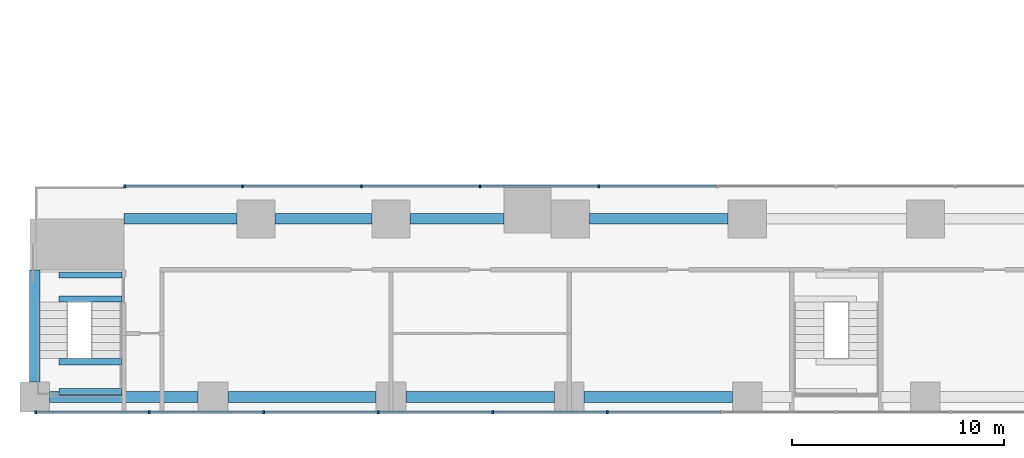
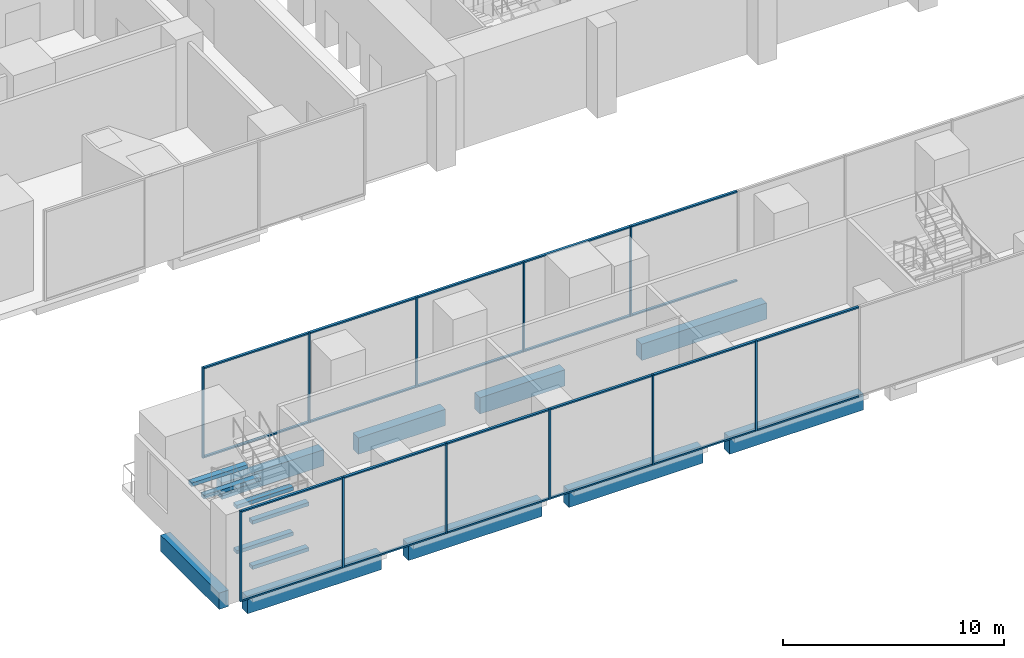
# One storey, part 2 of 24: 33 members, 15 beams, 2 elements without a shape of their own.
"""IFC4 building model written with IfcOpenShell, lengths in metres."""

from ifc_helpers import new_model, si_unit, direction, frame, origin, origin_2d, place, context, subcontext, project, spatial, rectangle, extrude, material, layer, layer_set, material_profile, profile_set, type_object, element, aggregate, save


model = new_model("IFC4")

# Units and contexts
model_context = context("Model", 3, precision=1e-05, world=origin(), true_north=direction((0.0, 1.0)))
body_context = subcontext(model_context, "Body", "Model", "MODEL_VIEW")
ifc_project = project(units=[si_unit("LENGTHUNIT", "METRE"), si_unit("AREAUNIT", "SQUARE_METRE"), si_unit("VOLUMEUNIT", "CUBIC_METRE"), si_unit("PLANEANGLEUNIT", "RADIAN"), si_unit("MASSUNIT", "GRAM", prefix="KILO")], contexts=[model_context])

# Site, building, storey
site_placement = place(None, origin())
site = spatial("IfcSite", under=ifc_project, at=site_placement, CompositionType="ELEMENT")
building_placement = place(site_placement, origin())
building = spatial("IfcBuilding", under=site, at=building_placement, Name="Marenta Gate Hotel Tower", CompositionType="ELEMENT")
storey_placement = place(building_placement, frame((0.0, 0.0, 8.0)))
storey = spatial("IfcBuildingStorey", under=building, at=storey_placement, Name="L01", CompositionType="ELEMENT", Elevation=8.0)

# Curtain wall, members
ifc_material_1 = material(Name="Tinted insulated glass in bronze anodised frame", Category="glass")
ifc_layer = layer(ifc_material_1, 0.1298828125)
ifc_layer_set = layer_set([ifc_layer], Name="Tinted insulated glass in bronze anodised frame")
curtain_wall_type = type_object("IfcCurtainWallType", Name="Podium shopfront glazing CW5", PredefinedType="NOTDEFINED", material=ifc_layer_set)
curtain_wall_1_placement = place(storey_placement, origin())
curtain_wall_1 = element("IfcCurtainWall", 1, at=curtain_wall_1_placement, inside=storey, type_object=curtain_wall_type, Name="CW5 run SB-S000", PredefinedType="NOTDEFINED")
ifc_material_2 = material(Name="Bronze anodised aluminium", Category="aluminium")
ifc_material_profile_1 = material_profile(ifc_material_2, rectangle(XDim=0.1298828125, YDim=0.080078125, at=origin_2d()), Name="Mullion CW5 80x130 bronze anodised aluminium")
ifc_profile_set_1 = profile_set([ifc_material_profile_1], Name="Bronze anodised aluminium")
member_type_1 = type_object("IfcMemberType", Name="Mullion CW5 80x130 bronze anodised aluminium", PredefinedType="MULLION", material=ifc_profile_set_1)
member_1_placement = place(storey_placement, frame((-37.760009765625, -25.9189453125, 0.0), z_axis=(0.0, 0.0, 1.0), x_axis=(0.0, 1.0, 0.0)))
member_1 = element("IfcMember", 2, at=member_1_placement, type_object=member_type_1, Name="CW5 mullion 1", PredefinedType="MULLION", context=body_context, shape_type="SweptSolid", body=[
    extrude(rectangle(XDim=0.1298828125, YDim=0.080078125, at=origin_2d()), origin(), (0.0, 0.0, 1.0), 5.0),
])
member_2_placement = place(storey_placement, frame((-32.39990234375, -25.9189453125, 0.0), z_axis=(0.0, 0.0, 1.0), x_axis=(0.0, 1.0, 0.0)))
member_2 = element("IfcMember", 3, at=member_2_placement, type_object=member_type_1, Name="CW5 mullion 2", PredefinedType="MULLION", context=body_context, shape_type="SweptSolid", body=[
    extrude(rectangle(XDim=0.1298828125, YDim=0.080078125, at=origin_2d()), origin(), (0.0, 0.0, 1.0), 5.0),
])
member_3_placement = place(storey_placement, frame((-27.0, -25.9189453125, 0.0), z_axis=(0.0, 0.0, 1.0), x_axis=(0.0, 1.0, 0.0)))
member_3 = element("IfcMember", 4, at=member_3_placement, type_object=member_type_1, Name="CW5 mullion 3", PredefinedType="MULLION", context=body_context, shape_type="SweptSolid", body=[
    extrude(rectangle(XDim=0.1298828125, YDim=0.080078125, at=origin_2d()), origin(), (0.0, 0.0, 1.0), 5.0),
])
member_4_placement = place(storey_placement, frame((-21.60009765625, -25.9189453125, 0.0), z_axis=(0.0, 0.0, 1.0), x_axis=(0.0, 1.0, 0.0)))
member_4 = element("IfcMember", 5, at=member_4_placement, type_object=member_type_1, Name="CW5 mullion 4", PredefinedType="MULLION", context=body_context, shape_type="SweptSolid", body=[
    extrude(rectangle(XDim=0.1298828125, YDim=0.080078125, at=origin_2d()), origin(), (0.0, 0.0, 1.0), 5.0),
])
member_5_placement = place(storey_placement, frame((-16.199951171875, -25.9189453125, 0.0), z_axis=(0.0, 0.0, 1.0), x_axis=(0.0, 1.0, 0.0)))
member_5 = element("IfcMember", 6, at=member_5_placement, type_object=member_type_1, Name="CW5 mullion 5", PredefinedType="MULLION", context=body_context, shape_type="SweptSolid", body=[
    extrude(rectangle(XDim=0.1298828125, YDim=0.080078125, at=origin_2d()), origin(), (0.0, 0.0, 1.0), 5.0),
])
member_6_placement = place(storey_placement, frame((-10.800048828125, -25.9189453125, 0.0), z_axis=(0.0, 0.0, 1.0), x_axis=(0.0, 1.0, 0.0)))
member_6 = element("IfcMember", 7, at=member_6_placement, type_object=member_type_1, Name="CW5 mullion 6", PredefinedType="MULLION", context=body_context, shape_type="SweptSolid", body=[
    extrude(rectangle(XDim=0.1298828125, YDim=0.080078125, at=origin_2d()), origin(), (0.0, 0.0, 1.0), 5.0),
])

curtain_wall_2_placement = place(storey_placement, origin())
curtain_wall_2 = element("IfcCurtainWall", 8, at=curtain_wall_2_placement, inside=storey, type_object=curtain_wall_type, Name="CW5 run SB-N000", PredefinedType="NOTDEFINED")
member_7_placement = place(storey_placement, frame((-11.199951171875, -15.255859375, 0.0), z_axis=(0.0, 0.0, 1.0), x_axis=(0.0, -1.0, 0.0)))
member_7 = element("IfcMember", 9, at=member_7_placement, type_object=member_type_1, Name="CW5 mullion 9", PredefinedType="MULLION", context=body_context, shape_type="SweptSolid", body=[
    extrude(rectangle(XDim=0.1298828125, YDim=0.080078125, at=origin_2d()), origin(), (0.0, 0.0, 1.0), 5.0),
])
member_8_placement = place(storey_placement, frame((-16.800048828125, -15.255859375, 0.0), z_axis=(0.0, 0.0, 1.0), x_axis=(0.0, -1.0, 0.0)))
member_8 = element("IfcMember", 10, at=member_8_placement, type_object=member_type_1, Name="CW5 mullion 10", PredefinedType="MULLION", context=body_context, shape_type="SweptSolid", body=[
    extrude(rectangle(XDim=0.1298828125, YDim=0.080078125, at=origin_2d()), origin(), (0.0, 0.0, 1.0), 5.0),
])
member_9_placement = place(storey_placement, frame((-22.39990234375, -15.255859375, 0.0), z_axis=(0.0, 0.0, 1.0), x_axis=(0.0, -1.0, 0.0)))
member_9 = element("IfcMember", 11, at=member_9_placement, type_object=member_type_1, Name="CW5 mullion 11", PredefinedType="MULLION", context=body_context, shape_type="SweptSolid", body=[
    extrude(rectangle(XDim=0.1298828125, YDim=0.080078125, at=origin_2d()), origin(), (0.0, 0.0, 1.0), 5.0),
])
member_10_placement = place(storey_placement, frame((-28.0, -15.255859375, 0.0), z_axis=(0.0, 0.0, 1.0), x_axis=(0.0, -1.0, 0.0)))
member_10 = element("IfcMember", 12, at=member_10_placement, type_object=member_type_1, Name="CW5 mullion 12", PredefinedType="MULLION", context=body_context, shape_type="SweptSolid", body=[
    extrude(rectangle(XDim=0.1298828125, YDim=0.080078125, at=origin_2d()), origin(), (0.0, 0.0, 1.0), 5.0),
])
member_11_placement = place(storey_placement, frame((-33.56005859375, -15.255859375, 0.0), z_axis=(0.0, 0.0, 1.0), x_axis=(0.0, -1.0, 0.0)))
member_11 = element("IfcMember", 13, at=member_11_placement, type_object=member_type_1, Name="CW5 mullion 13", PredefinedType="MULLION", context=body_context, shape_type="SweptSolid", body=[
    extrude(rectangle(XDim=0.1298828125, YDim=0.080078125, at=origin_2d()), origin(), (0.0, 0.0, 1.0), 5.0),
])

# Beams
ifc_material_3 = material(Name="Concrete C60", Category="concrete")
ifc_material_profile_2 = material_profile(ifc_material_3, rectangle(XDim=0.5, YDim=0.89990234375, at=origin_2d()), Name="500 x 900")
ifc_profile_set_2 = profile_set([ifc_material_profile_2], Name="Concrete C60")
beam_type_1 = type_object("IfcBeamType", Name="Podium edge beam 500 x 900 C60", PredefinedType="BEAM", material=ifc_profile_set_2)
for number, where, z_axis, x_axis, name in (
    (14, (-37.10009765625, -25.199951171875, -0.77001953125), (1.0, 0.0, 0.0), (0.0, 1.0, 0.0), "L01-PBM-1"),
    (15, (-28.699951171875, -25.199951171875, -0.77001953125), (1.0, 0.0, 0.0), (0.0, 1.0, 0.0), "L01-PBM-2"),
    (16, (-20.300048828125, -25.199951171875, -0.77001953125), (1.0, 0.0, 0.0), (0.0, 1.0, 0.0), "L01-PBM-3"),
    (17, (-11.89990234375, -25.199951171875, -0.77001953125), (1.0, 0.0, 0.0), (0.0, 1.0, 0.0), "L01-PBM-4"),
):
    element("IfcBeam", number, at=place(storey_placement, frame(where, z_axis=z_axis, x_axis=x_axis)), inside=storey, type_object=beam_type_1, Name=name, PredefinedType="BEAM", context=body_context, shape_type="SweptSolid", body=[
        extrude(rectangle(XDim=0.5, YDim=0.89990234375, at=origin_2d()), origin(), (0.0, 0.0, 1.0), 7.0),
    ])
beam_1_placement = place(storey_placement, frame((-5.10009765625, -16.800048828125, -0.77001953125), z_axis=(-1.0, 0.0, 0.0), x_axis=(0.0, -1.0, 0.0)))
element("IfcBeam", 18, at=beam_1_placement, inside=storey, type_object=beam_type_1, Name="L01-PBM-17", PredefinedType="BEAM", context=body_context, shape_type="SweptSolid", body=[
    extrude(rectangle(XDim=0.5, YDim=0.89990234375, at=origin_2d()), origin(), (0.0, 0.0, 1.0), 6.546142578125),
])
beam_2_placement = place(storey_placement, frame((-15.666259765625, -16.800048828125, -0.77001953125), z_axis=(-1.0, 0.0, 0.0), x_axis=(0.0, -1.0, 0.0)))
element("IfcBeam", 19, at=beam_2_placement, inside=storey, type_object=beam_type_1, Name="L01-PBM-18", PredefinedType="BEAM", context=body_context, shape_type="SweptSolid", body=[
    extrude(rectangle(XDim=0.5, YDim=0.89990234375, at=origin_2d()), origin(), (0.0, 0.0, 1.0), 4.433837890625),
])
beam_3_placement = place(storey_placement, frame((-21.89990234375, -16.800048828125, -0.77001953125), z_axis=(-1.0, 0.0, 0.0), x_axis=(0.0, -1.0, 0.0)))
element("IfcBeam", 20, at=beam_3_placement, inside=storey, type_object=beam_type_1, Name="L01-PBM-19", PredefinedType="BEAM", context=body_context, shape_type="SweptSolid", body=[
    extrude(rectangle(XDim=0.5, YDim=0.89990234375, at=origin_2d()), origin(), (0.0, 0.0, 1.0), 4.56298828125),
])
beam_4_placement = place(storey_placement, frame((-28.262939453125, -16.800048828125, -0.77001953125), z_axis=(-1.0, 0.0, 0.0), x_axis=(0.0, -1.0, 0.0)))
element("IfcBeam", 21, at=beam_4_placement, inside=storey, type_object=beam_type_1, Name="L01-PBM-20", PredefinedType="BEAM", context=body_context, shape_type="SweptSolid", body=[
    extrude(rectangle(XDim=0.5, YDim=0.89990234375, at=origin_2d()), origin(), (0.0, 0.0, 1.0), 5.337158203125),
])
beam_5_placement = place(storey_placement, frame((-37.800048828125, -19.199951171875, -0.77001953125), z_axis=(0.0, -1.0, 0.0), x_axis=(1.0, 0.0, 0.0)))
element("IfcBeam", 22, at=beam_5_placement, inside=storey, type_object=beam_type_1, Name="L01-PBM-21", PredefinedType="BEAM", context=body_context, shape_type="SweptSolid", body=[
    extrude(rectangle(XDim=0.5, YDim=0.89990234375, at=origin_2d()), origin(), (0.0, 0.0, 1.0), 5.300048828125),
])
ifc_material_4 = material(Name="Concrete C40", Category="concrete")
ifc_material_profile_3 = material_profile(ifc_material_4, rectangle(XDim=0.300048828125, YDim=0.199951171875, at=origin_2d()), Name="300 x 200")
ifc_profile_set_3 = profile_set([ifc_material_profile_3], Name="Concrete C40")
beam_type_2 = type_object("IfcBeamType", Name="Stair landing trimmer 300 x 200 C40", PredefinedType="BEAM", material=ifc_profile_set_3)
for number, where, z_axis, x_axis, name in (
    (23, (-36.64990234375, -24.949951171875, 0.949951171875), (1.0, 0.0, 0.0), (0.0, 1.0, 0.0), "L01-PX1-LT-1"),
    (24, (-36.64990234375, -23.5400390625, 0.949951171875), (1.0, 0.0, 0.0), (0.0, 1.0, 0.0), "L01-PX1-LT-2"),
    (25, (-36.64990234375, -20.580078125, 2.199951171875), (1.0, 0.0, 0.0), (0.0, 1.0, 0.0), "L01-PX1-LT-3"),
    (26, (-36.64990234375, -19.449951171875, 2.199951171875), (1.0, 0.0, 0.0), (0.0, 1.0, 0.0), "L01-PX1-LT-4"),
    (27, (-36.64990234375, -24.949951171875, 3.449951171875), (1.0, 0.0, 0.0), (0.0, 1.0, 0.0), "L01-PX1-LT-5"),
    (28, (-36.64990234375, -23.5400390625, 3.449951171875), (1.0, 0.0, 0.0), (0.0, 1.0, 0.0), "L01-PX1-LT-6"),
):
    element("IfcBeam", number, at=place(storey_placement, frame(where, z_axis=z_axis, x_axis=x_axis)), inside=storey, type_object=beam_type_2, Name=name, PredefinedType="BEAM", context=body_context, shape_type="SweptSolid", body=[
        extrude(rectangle(XDim=0.300048828125, YDim=0.199951171875, at=origin_2d()), origin(), (0.0, 0.0, 1.0), 2.949951171875),
    ])

# Member
ifc_material_5 = material(Name="Bronze anodised aluminium", Category="aluminium")
ifc_material_profile_4 = material_profile(ifc_material_5, rectangle(XDim=0.1298828125, YDim=0.080078125, at=origin_2d()), Name="Transom CW5 80x130 bronze anodised aluminium")
ifc_profile_set_4 = profile_set([ifc_material_profile_4], Name="Bronze anodised aluminium")
member_type_2 = type_object("IfcMemberType", Name="Transom CW5 80x130 bronze anodised aluminium", PredefinedType="USERDEFINED", material=ifc_profile_set_4)
member_12_placement = place(storey_placement, frame((-37.719970703125, -25.9189453125, 0.0400390625), z_axis=(1.0, 0.0, 0.0), x_axis=(0.0, 1.0, 0.0)))
member_12 = element("IfcMember", 29, at=member_12_placement, type_object=member_type_2, Name="CW5 transom 1.1", ObjectType="TRANSOM", PredefinedType="USERDEFINED", context=body_context, shape_type="SweptSolid", body=[
    extrude(rectangle(XDim=0.1298828125, YDim=0.080078125, at=origin_2d()), origin(), (0.0, 0.0, 1.0), 5.280029296875),
])

member_13_placement = place(storey_placement, frame((-37.719970703125, -25.9189453125, 4.9599609375), z_axis=(1.0, 0.0, 0.0), x_axis=(0.0, 1.0, 0.0)))
member_13 = element("IfcMember", 30, at=member_13_placement, type_object=member_type_2, Name="CW5 transom 1.2", ObjectType="TRANSOM", PredefinedType="USERDEFINED", context=body_context, shape_type="SweptSolid", body=[
    extrude(rectangle(XDim=0.1298828125, YDim=0.080078125, at=origin_2d()), origin(), (0.0, 0.0, 1.0), 5.280029296875),
])

member_14_placement = place(storey_placement, frame((-32.360107421875, -25.9189453125, 0.0400390625), z_axis=(1.0, 0.0, 0.0), x_axis=(0.0, 1.0, 0.0)))
member_14 = element("IfcMember", 31, at=member_14_placement, type_object=member_type_2, Name="CW5 transom 2.1", ObjectType="TRANSOM", PredefinedType="USERDEFINED", context=body_context, shape_type="SweptSolid", body=[
    extrude(rectangle(XDim=0.1298828125, YDim=0.080078125, at=origin_2d()), origin(), (0.0, 0.0, 1.0), 5.320068359375),
])

member_15_placement = place(storey_placement, frame((-32.360107421875, -25.9189453125, 4.9599609375), z_axis=(1.0, 0.0, 0.0), x_axis=(0.0, 1.0, 0.0)))
member_15 = element("IfcMember", 32, at=member_15_placement, type_object=member_type_2, Name="CW5 transom 2.2", ObjectType="TRANSOM", PredefinedType="USERDEFINED", context=body_context, shape_type="SweptSolid", body=[
    extrude(rectangle(XDim=0.1298828125, YDim=0.080078125, at=origin_2d()), origin(), (0.0, 0.0, 1.0), 5.320068359375),
])

member_16_placement = place(storey_placement, frame((-26.9599609375, -25.9189453125, 0.0400390625), z_axis=(1.0, 0.0, 0.0), x_axis=(0.0, 1.0, 0.0)))
member_16 = element("IfcMember", 33, at=member_16_placement, type_object=member_type_2, Name="CW5 transom 3.1", ObjectType="TRANSOM", PredefinedType="USERDEFINED", context=body_context, shape_type="SweptSolid", body=[
    extrude(rectangle(XDim=0.1298828125, YDim=0.080078125, at=origin_2d()), origin(), (0.0, 0.0, 1.0), 5.320068359375),
])

member_17_placement = place(storey_placement, frame((-26.9599609375, -25.9189453125, 4.9599609375), z_axis=(1.0, 0.0, 0.0), x_axis=(0.0, 1.0, 0.0)))
member_17 = element("IfcMember", 34, at=member_17_placement, type_object=member_type_2, Name="CW5 transom 3.2", ObjectType="TRANSOM", PredefinedType="USERDEFINED", context=body_context, shape_type="SweptSolid", body=[
    extrude(rectangle(XDim=0.1298828125, YDim=0.080078125, at=origin_2d()), origin(), (0.0, 0.0, 1.0), 5.320068359375),
])

member_18_placement = place(storey_placement, frame((-21.56005859375, -25.9189453125, 0.0400390625), z_axis=(1.0, 0.0, 0.0), x_axis=(0.0, 1.0, 0.0)))
member_18 = element("IfcMember", 35, at=member_18_placement, type_object=member_type_2, Name="CW5 transom 4.1", ObjectType="TRANSOM", PredefinedType="USERDEFINED", context=body_context, shape_type="SweptSolid", body=[
    extrude(rectangle(XDim=0.1298828125, YDim=0.080078125, at=origin_2d()), origin(), (0.0, 0.0, 1.0), 5.320068359375),
])

member_19_placement = place(storey_placement, frame((-21.56005859375, -25.9189453125, 4.9599609375), z_axis=(1.0, 0.0, 0.0), x_axis=(0.0, 1.0, 0.0)))
member_19 = element("IfcMember", 36, at=member_19_placement, type_object=member_type_2, Name="CW5 transom 4.2", ObjectType="TRANSOM", PredefinedType="USERDEFINED", context=body_context, shape_type="SweptSolid", body=[
    extrude(rectangle(XDim=0.1298828125, YDim=0.080078125, at=origin_2d()), origin(), (0.0, 0.0, 1.0), 5.320068359375),
])

member_20_placement = place(storey_placement, frame((-16.159912109375, -25.9189453125, 0.0400390625), z_axis=(1.0, 0.0, 0.0), x_axis=(0.0, 1.0, 0.0)))
member_20 = element("IfcMember", 37, at=member_20_placement, type_object=member_type_2, Name="CW5 transom 5.1", ObjectType="TRANSOM", PredefinedType="USERDEFINED", context=body_context, shape_type="SweptSolid", body=[
    extrude(rectangle(XDim=0.1298828125, YDim=0.080078125, at=origin_2d()), origin(), (0.0, 0.0, 1.0), 5.31982421875),
])

member_21_placement = place(storey_placement, frame((-16.159912109375, -25.9189453125, 4.9599609375), z_axis=(1.0, 0.0, 0.0), x_axis=(0.0, 1.0, 0.0)))
member_21 = element("IfcMember", 38, at=member_21_placement, type_object=member_type_2, Name="CW5 transom 5.2", ObjectType="TRANSOM", PredefinedType="USERDEFINED", context=body_context, shape_type="SweptSolid", body=[
    extrude(rectangle(XDim=0.1298828125, YDim=0.080078125, at=origin_2d()), origin(), (0.0, 0.0, 1.0), 5.31982421875),
])

member_22_placement = place(storey_placement, frame((-10.760009765625, -25.9189453125, 0.0400390625), z_axis=(1.0, 0.0, 0.0), x_axis=(0.0, 1.0, 0.0)))
member_22 = element("IfcMember", 39, at=member_22_placement, type_object=member_type_2, Name="CW5 transom 6.1", ObjectType="TRANSOM", PredefinedType="USERDEFINED", context=body_context, shape_type="SweptSolid", body=[
    extrude(rectangle(XDim=0.1298828125, YDim=0.080078125, at=origin_2d()), origin(), (0.0, 0.0, 1.0), 5.320068359375),
])

member_23_placement = place(storey_placement, frame((-10.760009765625, -25.9189453125, 4.9599609375), z_axis=(1.0, 0.0, 0.0), x_axis=(0.0, 1.0, 0.0)))
member_23 = element("IfcMember", 40, at=member_23_placement, type_object=member_type_2, Name="CW5 transom 6.2", ObjectType="TRANSOM", PredefinedType="USERDEFINED", context=body_context, shape_type="SweptSolid", body=[
    extrude(rectangle(XDim=0.1298828125, YDim=0.080078125, at=origin_2d()), origin(), (0.0, 0.0, 1.0), 5.320068359375),
])

aggregate(curtain_wall_1, [member_1, member_2, member_3, member_4, member_5, member_6, member_12, member_13, member_14, member_15, member_16, member_17, member_18, member_19, member_20, member_21, member_22, member_23])

member_24_placement = place(storey_placement, frame((-5.639892578125, -15.255859375, 0.0400390625), z_axis=(-1.0, 0.0, 0.0), x_axis=(0.0, -1.0, 0.0)))
member_24 = element("IfcMember", 41, at=member_24_placement, type_object=member_type_2, Name="CW5 transom 8.1", ObjectType="TRANSOM", PredefinedType="USERDEFINED", context=body_context, shape_type="SweptSolid", body=[
    extrude(rectangle(XDim=0.1298828125, YDim=0.080078125, at=origin_2d()), origin(), (0.0, 0.0, 1.0), 5.52001953125),
])

member_25_placement = place(storey_placement, frame((-5.639892578125, -15.255859375, 4.9599609375), z_axis=(-1.0, 0.0, 0.0), x_axis=(0.0, -1.0, 0.0)))
member_25 = element("IfcMember", 42, at=member_25_placement, type_object=member_type_2, Name="CW5 transom 8.2", ObjectType="TRANSOM", PredefinedType="USERDEFINED", context=body_context, shape_type="SweptSolid", body=[
    extrude(rectangle(XDim=0.1298828125, YDim=0.080078125, at=origin_2d()), origin(), (0.0, 0.0, 1.0), 5.52001953125),
])

member_26_placement = place(storey_placement, frame((-11.239990234375, -15.255859375, 0.0400390625), z_axis=(-1.0, 0.0, 0.0), x_axis=(0.0, -1.0, 0.0)))
member_26 = element("IfcMember", 43, at=member_26_placement, type_object=member_type_2, Name="CW5 transom 9.1", ObjectType="TRANSOM", PredefinedType="USERDEFINED", context=body_context, shape_type="SweptSolid", body=[
    extrude(rectangle(XDim=0.1298828125, YDim=0.080078125, at=origin_2d()), origin(), (0.0, 0.0, 1.0), 5.52001953125),
])

member_27_placement = place(storey_placement, frame((-11.239990234375, -15.255859375, 4.9599609375), z_axis=(-1.0, 0.0, 0.0), x_axis=(0.0, -1.0, 0.0)))
member_27 = element("IfcMember", 44, at=member_27_placement, type_object=member_type_2, Name="CW5 transom 9.2", ObjectType="TRANSOM", PredefinedType="USERDEFINED", context=body_context, shape_type="SweptSolid", body=[
    extrude(rectangle(XDim=0.1298828125, YDim=0.080078125, at=origin_2d()), origin(), (0.0, 0.0, 1.0), 5.52001953125),
])

member_28_placement = place(storey_placement, frame((-16.840087890625, -15.255859375, 0.0400390625), z_axis=(-1.0, 0.0, 0.0), x_axis=(0.0, -1.0, 0.0)))
member_28 = element("IfcMember", 45, at=member_28_placement, type_object=member_type_2, Name="CW5 transom 10.1", ObjectType="TRANSOM", PredefinedType="USERDEFINED", context=body_context, shape_type="SweptSolid", body=[
    extrude(rectangle(XDim=0.1298828125, YDim=0.080078125, at=origin_2d()), origin(), (0.0, 0.0, 1.0), 5.52001953125),
])

member_29_placement = place(storey_placement, frame((-16.840087890625, -15.255859375, 4.9599609375), z_axis=(-1.0, 0.0, 0.0), x_axis=(0.0, -1.0, 0.0)))
member_29 = element("IfcMember", 46, at=member_29_placement, type_object=member_type_2, Name="CW5 transom 10.2", ObjectType="TRANSOM", PredefinedType="USERDEFINED", context=body_context, shape_type="SweptSolid", body=[
    extrude(rectangle(XDim=0.1298828125, YDim=0.080078125, at=origin_2d()), origin(), (0.0, 0.0, 1.0), 5.52001953125),
])

member_30_placement = place(storey_placement, frame((-22.43994140625, -15.255859375, 0.0400390625), z_axis=(-1.0, 0.0, 0.0), x_axis=(0.0, -1.0, 0.0)))
member_30 = element("IfcMember", 47, at=member_30_placement, type_object=member_type_2, Name="CW5 transom 11.1", ObjectType="TRANSOM", PredefinedType="USERDEFINED", context=body_context, shape_type="SweptSolid", body=[
    extrude(rectangle(XDim=0.1298828125, YDim=0.080078125, at=origin_2d()), origin(), (0.0, 0.0, 1.0), 5.52001953125),
])

member_31_placement = place(storey_placement, frame((-22.43994140625, -15.255859375, 4.9599609375), z_axis=(-1.0, 0.0, 0.0), x_axis=(0.0, -1.0, 0.0)))
member_31 = element("IfcMember", 48, at=member_31_placement, type_object=member_type_2, Name="CW5 transom 11.2", ObjectType="TRANSOM", PredefinedType="USERDEFINED", context=body_context, shape_type="SweptSolid", body=[
    extrude(rectangle(XDim=0.1298828125, YDim=0.080078125, at=origin_2d()), origin(), (0.0, 0.0, 1.0), 5.52001953125),
])

member_32_placement = place(storey_placement, frame((-28.0400390625, -15.255859375, 0.0400390625), z_axis=(-1.0, 0.0, 0.0), x_axis=(0.0, -1.0, 0.0)))
member_32 = element("IfcMember", 49, at=member_32_placement, type_object=member_type_2, Name="CW5 transom 12.1", ObjectType="TRANSOM", PredefinedType="USERDEFINED", context=body_context, shape_type="SweptSolid", body=[
    extrude(rectangle(XDim=0.1298828125, YDim=0.080078125, at=origin_2d()), origin(), (0.0, 0.0, 1.0), 5.47998046875),
])

member_33_placement = place(storey_placement, frame((-28.0400390625, -15.255859375, 4.9599609375), z_axis=(-1.0, 0.0, 0.0), x_axis=(0.0, -1.0, 0.0)))
member_33 = element("IfcMember", 50, at=member_33_placement, type_object=member_type_2, Name="CW5 transom 12.2", ObjectType="TRANSOM", PredefinedType="USERDEFINED", context=body_context, shape_type="SweptSolid", body=[
    extrude(rectangle(XDim=0.1298828125, YDim=0.080078125, at=origin_2d()), origin(), (0.0, 0.0, 1.0), 5.47998046875),
])

aggregate(curtain_wall_2, [member_7, member_8, member_9, member_10, member_11, member_24, member_25, member_26, member_27, member_28, member_29, member_30, member_31, member_32, member_33])

save(model, "model.ifc")
